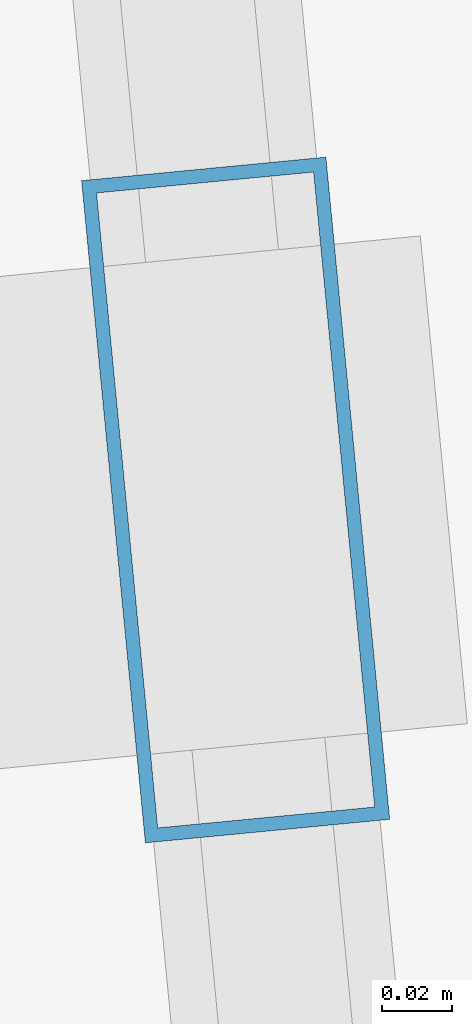
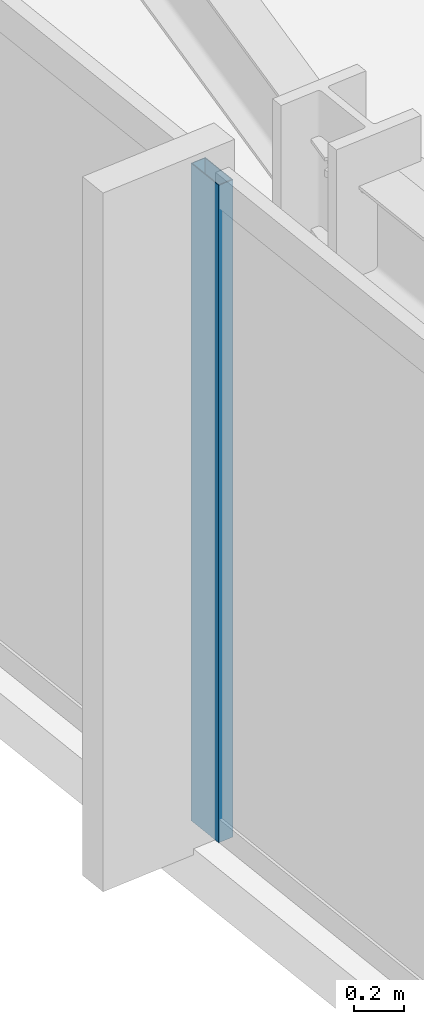
# One storey, part 8 of 33: 1 member, 1 element without a shape of its own.
"""IFC4 building model written with IfcOpenShell, lengths in metres."""

from ifc_helpers import new_model, si_unit, direction, frame, origin, origin_2d, place, context, subcontext, project, spatial, hollow_rectangle, extrude, material, material_profile, profile_set, type_object, element, aggregate, save


model = new_model("IFC4")

# Units and contexts
model_context = context("Model", 3, precision=1e-05, world=origin(), true_north=direction((0.0, 1.0)))
body_context = subcontext(model_context, "Body", "Model", "MODEL_VIEW")
ifc_project = project(units=[si_unit("LENGTHUNIT", "METRE"), si_unit("AREAUNIT", "SQUARE_METRE"), si_unit("VOLUMEUNIT", "CUBIC_METRE"), si_unit("PLANEANGLEUNIT", "RADIAN"), si_unit("MASSUNIT", "GRAM", prefix="KILO")], contexts=[model_context])

# Site, building, storey
site_placement = place(None, origin())
site = spatial("IfcSite", under=ifc_project, at=site_placement, CompositionType="ELEMENT")
building_placement = place(site_placement, origin())
building = spatial("IfcBuilding", under=site, at=building_placement, Name="Yelkora Congress Tower", CompositionType="ELEMENT")
storey_placement = place(building_placement, frame((0.0, 0.0, 106.699951171875)))
storey = spatial("IfcBuildingStorey", under=building, at=storey_placement, Name="L28", CompositionType="ELEMENT", Elevation=106.699951171875)

# Curtain wall, member
ifc_material_1 = material(Name="Anodised aluminium and insulated glass", Category="aluminium")
curtain_wall_type = type_object("IfcCurtainWallType", Name="CW-SYS-B2", PredefinedType="NOTDEFINED", material=ifc_material_1)
curtain_wall_placement = place(storey_placement, origin())
curtain_wall = element("IfcCurtainWall", 1, at=curtain_wall_placement, inside=storey, type_object=curtain_wall_type, Name="L28 Unitised Curtain Wall 5", PredefinedType="NOTDEFINED")
ifc_material_2 = material(Name="Anodised aluminium 6063-T6", Category="aluminium")
ifc_material_profile = material_profile(ifc_material_2, hollow_rectangle(XDim=0.070068359375, YDim=0.18994140625, WallThickness=0.00390625, at=origin_2d()), Name="ALU 70x190x4")
ifc_profile_set = profile_set([ifc_material_profile], Name="Anodised aluminium 6063-T6")
member_type = type_object("IfcMemberType", Name="MEM-ML-B2", PredefinedType="MULLION", material=ifc_profile_set)
member_placement = place(storey_placement, frame((14.47021484375, 35.0341796875, 0.0), z_axis=(0.0, 0.0, 1.0), x_axis=(-0.995396507508, -0.095842541913, 0.0)))
member = element("IfcMember", 2, at=member_placement, type_object=member_type, Name="CW-B2 mullion 4", PredefinedType="MULLION", context=body_context, shape_type="SweptSolid", body=[
    extrude(hollow_rectangle(XDim=0.070068359375, YDim=0.18994140625, WallThickness=0.00390625, at=origin_2d()), origin(), (0.0, 0.0, 1.0), 3.179931640625),
])
aggregate(curtain_wall, [member])

save(model, "model.ifc")
